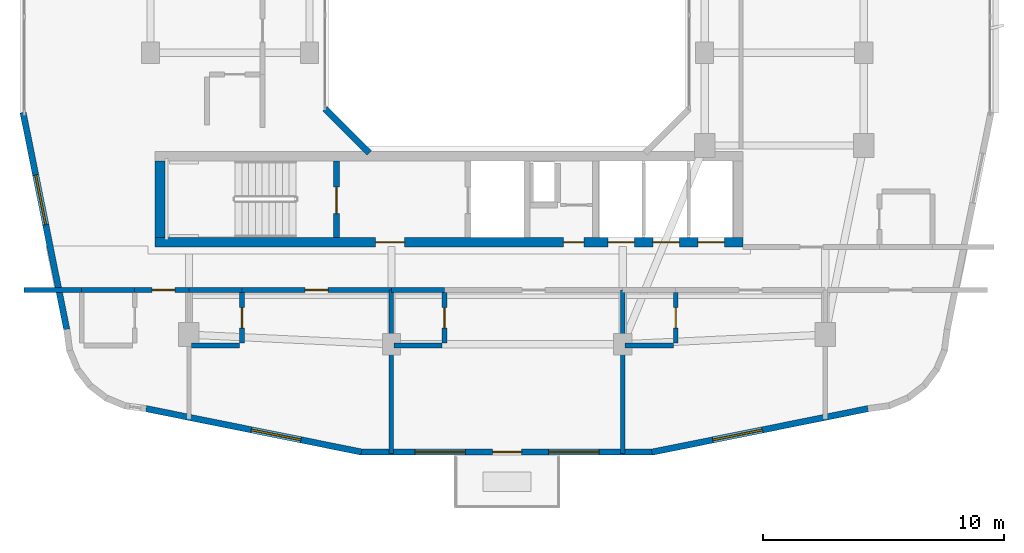
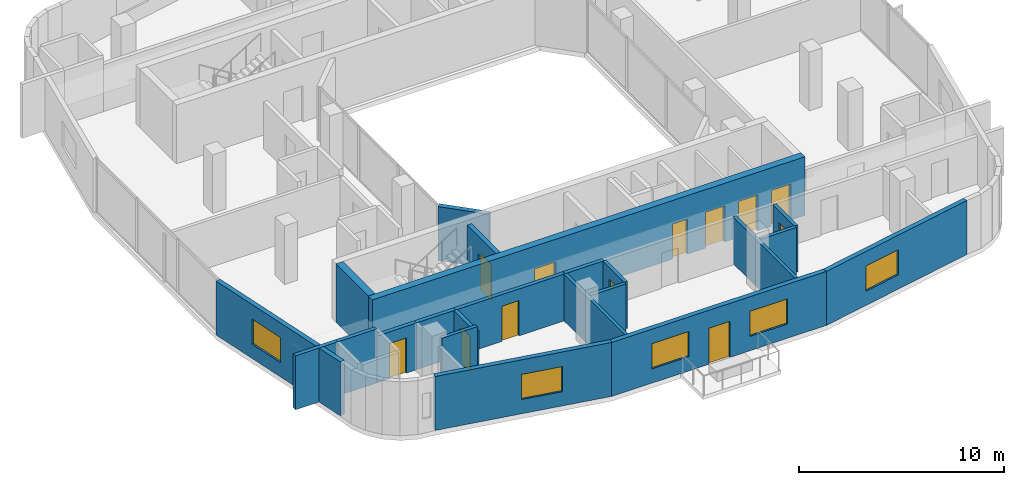
# One storey, part 5 of 13: 22 walls, 12 doors, 5 windows, 17 openings.
"""IFC4 building model written with IfcOpenShell, lengths in metres."""

from ifc_helpers import new_model, si_unit, derived_unit, direction, frame, frame_2d, origin, place, context, subcontext, project, spatial, rectangle, extrude, material, layer, layer_set, type_object, element, fill, save


model = new_model("IFC4")

# Units and contexts
model_context = context("Model", 3, precision=1e-05, world=origin(), true_north=direction((0.0, 1.0)))
body_context = subcontext(model_context, "Body", "Model", "MODEL_VIEW")
ifc_project = project(units=[si_unit("LENGTHUNIT", "METRE"), si_unit("AREAUNIT", "SQUARE_METRE"), si_unit("VOLUMEUNIT", "CUBIC_METRE"), si_unit("PLANEANGLEUNIT", "RADIAN"), si_unit("MASSUNIT", "GRAM", prefix="KILO"), derived_unit("THERMALTRANSMITTANCEUNIT", [(si_unit("POWERUNIT", "WATT"), 1), (si_unit("LENGTHUNIT", "METRE"), -2), (si_unit("THERMODYNAMICTEMPERATUREUNIT", "KELVIN"), -1)])], contexts=[model_context])

# Site, building, storey
site_placement = place(None, origin())
site = spatial("IfcSite", under=ifc_project, at=site_placement, CompositionType="ELEMENT")
building_placement = place(site_placement, origin())
building = spatial("IfcBuilding", under=site, at=building_placement, Name="Kivonza Crest Hotel", CompositionType="ELEMENT")
storey_placement = place(building_placement, frame((0.0, 0.0, 155.5)))
storey = spatial("IfcBuildingStorey", under=building, at=storey_placement, Name="L42", CompositionType="ELEMENT", Elevation=155.5)

# Walls
ifc_material_1 = material(Name="High-density acoustic masonry inter-tenancy wall", Category="masonry")
ifc_layer_1 = layer(ifc_material_1, 0.179931640625)
ifc_layer_set_1 = layer_set([ifc_layer_1], Name="High-density acoustic masonry inter-tenancy wall")
wall_type_1 = type_object("IfcWallType", Name="WL-ACOU-180", PredefinedType="SOLIDWALL", material=ifc_layer_set_1)
for number, where, z_axis, x_axis, name in (
    (1, (16.199951171875, 4.860107421875, 0.0), (0.0, 0.0, 1.0), (0.0, 1.0, 0.0), "L42 interior partition WA-L42-T1S-DIV2"),
    (2, (25.800048828125, 4.860107421875, 0.0), (0.0, 0.0, 1.0), (0.0, 1.0, 0.0), "L42 interior partition WA-L42-T1S-DIV3"),
):
    element("IfcWall", number, at=place(storey_placement, frame(where, z_axis=z_axis, x_axis=x_axis)), inside=storey, type_object=wall_type_1, Name=name, PredefinedType="SOLIDWALL", context=body_context, shape_type="SweptSolid", body=[
        extrude(rectangle(XDim=6.789794921875, YDim=0.179931640625, at=frame_2d((3.39501953125, 0.0))), origin(), (0.0, 0.0, 1.0), 2.794921875),
    ])
ifc_material_2 = material(Name="Autoclaved aerated concrete blockwork", Category="masonry")
ifc_layer_2 = layer(ifc_material_2, 0.219970703125)
ifc_layer_set_2 = layer_set([ifc_layer_2], Name="Autoclaved aerated concrete blockwork")
wall_type_2 = type_object("IfcWallType", Name="WL-ACOU-220", PredefinedType="SOLIDWALL", material=ifc_layer_set_2)
wall_1_placement = place(storey_placement, frame((0.9599609375, 11.64990234375, 0.0), z_axis=(0.0, 0.0, 1.0), x_axis=(1.0, 0.0, 0.0)))
element("IfcWall", 3, at=wall_1_placement, inside=storey, type_object=wall_type_2, Name="L42 interior partition WA-L42-S05-XCORR", PredefinedType="SOLIDWALL", context=body_context, shape_type="SweptSolid", body=[
    extrude(rectangle(XDim=2.39013671875, YDim=0.219970703125, at=frame_2d((1.195068359375, 0.0))), origin(), (0.0, 0.0, 1.0), 3.219970703125),
])
wall_2_placement = place(storey_placement, frame((3.35009765625, 11.64990234375, 0.0), z_axis=(0.0, 0.0, 1.0), x_axis=(1.0, 0.0, 0.0)))
element("IfcWall", 4, at=wall_2_placement, inside=storey, type_object=wall_type_2, Name="L42 interior partition WA-L42-S05-BCORR", PredefinedType="SOLIDWALL", context=body_context, shape_type="SweptSolid", body=[
    extrude(rectangle(XDim=2.199951171875, YDim=0.219970703125, at=frame_2d((1.10009765625, 0.0))), origin(), (0.0, 0.0, 1.0), 3.219970703125),
])

# Wall, opening, door
wall_3_placement = place(storey_placement, frame((5.550048828125, 11.64990234375, 0.0), z_axis=(0.0, 0.0, 1.0), x_axis=(1.0, 0.0, 0.0)))
wall_3 = element("IfcWall", 5, at=wall_3_placement, inside=storey, type_object=wall_type_2, Name="L42 interior partition WA-L42-S05-MCORR", PredefinedType="SOLIDWALL", context=body_context, shape_type="SweptSolid", body=[
    extrude(rectangle(XDim=2.25, YDim=0.219970703125, at=frame_2d((1.125, 0.0))), origin(), (0.0, 0.0, 1.0), 2.794921875),
])
opening_1_placement = place(wall_3_placement, frame((0.719970703125, 0.0, 0.0)))
opening_1 = element("IfcOpeningElement", 6, at=opening_1_placement, cuts=wall_3, Name="Opening DU-60", PredefinedType="OPENING", context=body_context, shape_type="SweptSolid", body=[
    extrude(rectangle(XDim=0.949951171875, YDim=2.10009765625, at=frame_2d((0.47509765625, 1.050048828125))), frame((0.0, 0.1201171875, 0.0), z_axis=(0.0, -1.0, 0.0), x_axis=(1.0, 0.0, 0.0)), (0.0, 0.0, 1.0), 0.239990234375),
])
ifc_material_3 = material(Name="Hardwood timber oak", Category="wood")
door_type_1 = type_object("IfcDoorType", Name="DR-UNIT-950", OperationType="NOTDEFINED", PredefinedType="DOOR", material=ifc_material_3)
door_1_placement = place(opening_1_placement, frame((0.949951171875, 0.0, 0.0), z_axis=(0.0, 0.0, 1.0), x_axis=(-1.0, 0.0, 0.0)))
door_1 = element("IfcDoor", 7, at=door_1_placement, inside=storey, type_object=door_type_1, Name="L42 S05 guest unit entrance fire door", OperationType="SINGLE_SWING_LEFT", OverallHeight=2.10009765625, OverallWidth=0.949951171875, PredefinedType="DOOR", context=body_context, shape_type="SweptSolid", body=[
    extrude(rectangle(XDim=0.949951171875, YDim=2.10009765625, at=frame_2d((0.47509765625, 1.050048828125))), frame((0.0, 0.02490234375, 0.0), z_axis=(0.0, -1.0, 0.0), x_axis=(1.0, 0.0, 0.0)), (0.0, 0.0, 1.0), 0.050048828125),
])
fill(opening_1, door_1)

# Wall
wall_4_placement = place(storey_placement, frame((7.800048828125, 11.64990234375, 0.0), z_axis=(0.0, 0.0, 1.0), x_axis=(1.0, 0.0, 0.0)))
element("IfcWall", 8, at=wall_4_placement, inside=storey, type_object=wall_type_2, Name="L42 interior partition WA-L42-S06-BCORR", PredefinedType="SOLIDWALL", context=body_context, shape_type="SweptSolid", body=[
    extrude(rectangle(XDim=2.199951171875, YDim=0.219970703125, at=frame_2d((1.10009765625, 0.0))), origin(), (0.0, 0.0, 1.0), 2.794921875),
])

# Wall, opening, door
wall_5_placement = place(storey_placement, frame((10.0, 11.64990234375, 0.0), z_axis=(0.0, 0.0, 1.0), x_axis=(1.0, 0.0, 0.0)))
wall_5 = element("IfcWall", 9, at=wall_5_placement, inside=storey, type_object=wall_type_2, Name="L42 interior partition WA-L42-S06-MCORR", PredefinedType="SOLIDWALL", context=body_context, shape_type="SweptSolid", body=[
    extrude(rectangle(XDim=6.199951171875, YDim=0.219970703125, at=frame_2d((3.10009765625, 0.0))), origin(), (0.0, 0.0, 1.0), 2.794921875),
])
opening_2_placement = place(wall_5_placement, frame((2.625, 0.0, 0.0)))
opening_2 = element("IfcOpeningElement", 10, at=opening_2_placement, cuts=wall_5, Name="Opening DU-60", PredefinedType="OPENING", context=body_context, shape_type="SweptSolid", body=[
    extrude(rectangle(XDim=0.949951171875, YDim=2.10009765625, at=frame_2d((0.47509765625, 1.050048828125))), frame((0.0, 0.1201171875, 0.0), z_axis=(0.0, -1.0, 0.0), x_axis=(1.0, 0.0, 0.0)), (0.0, 0.0, 1.0), 0.239990234375),
])
door_2_placement = place(opening_2_placement, frame((0.949951171875, 0.0, 0.0), z_axis=(0.0, 0.0, 1.0), x_axis=(-1.0, 0.0, 0.0)))
door_2 = element("IfcDoor", 11, at=door_2_placement, inside=storey, type_object=door_type_1, Name="L42 S06 guest unit entrance fire door", OperationType="SINGLE_SWING_RIGHT", OverallHeight=2.10009765625, OverallWidth=0.949951171875, PredefinedType="DOOR", context=body_context, shape_type="SweptSolid", body=[
    extrude(rectangle(XDim=0.949951171875, YDim=2.10009765625, at=frame_2d((0.47509765625, 1.050048828125))), frame((0.0, 0.02490234375, 0.0), z_axis=(0.0, -1.0, 0.0), x_axis=(1.0, 0.0, 0.0)), (0.0, 0.0, 1.0), 0.050048828125),
])
fill(opening_2, door_2)

# Wall
wall_6_placement = place(storey_placement, frame((16.199951171875, 11.64990234375, 0.0), z_axis=(0.0, 0.0, 1.0), x_axis=(1.0, 0.0, 0.0)))
element("IfcWall", 12, at=wall_6_placement, inside=storey, type_object=wall_type_2, Name="L42 interior partition WA-L42-S07-BCORR", PredefinedType="SOLIDWALL", context=body_context, shape_type="SweptSolid", body=[
    extrude(rectangle(XDim=2.199951171875, YDim=0.219970703125, at=frame_2d((1.10009765625, 0.0))), origin(), (0.0, 0.0, 1.0), 2.794921875),
])

# Wall, openings, doors
ifc_material_4 = material(Name="Concrete C50/60", Category="concrete")
ifc_layer_3 = layer(ifc_material_4, 0.39990234375)
ifc_layer_set_3 = layer_set([ifc_layer_3], Name="Concrete C50/60")
wall_type_3 = type_object("IfcWallType", Name="WL-CORE-400", PredefinedType="SHEAR", material=ifc_layer_set_3)
wall_7_placement = place(storey_placement, frame((6.39990234375, 13.639892578125, 0.0), z_axis=(0.0, 0.0, 1.0), x_axis=(1.0, 0.0, 0.0)))
wall_7 = element("IfcWall", 13, at=wall_7_placement, inside=storey, type_object=wall_type_3, Name="Core wall T1-S South L42", PredefinedType="SHEAR", context=body_context, shape_type="SweptSolid", body=[
    extrude(rectangle(XDim=24.400146484375, YDim=0.39990234375, at=frame_2d((12.2001953125, 0.0))), origin(), (0.0, 0.0, 1.0), 3.5),
])
opening_3_placement = place(wall_7_placement, frame((9.14990234375, 0.0, 0.0)))
opening_3 = element("IfcOpeningElement", 14, at=opening_3_placement, cuts=wall_7, Name="Opening DF-60", PredefinedType="OPENING", context=body_context, shape_type="SweptSolid", body=[
    extrude(rectangle(XDim=1.199951171875, YDim=2.14990234375, at=frame_2d((0.60009765625, 1.074951171875))), frame((0.0, 0.2099609375, 0.0), z_axis=(0.0, -1.0, 0.0), x_axis=(1.0, 0.0, 0.0)), (0.0, 0.0, 1.0), 0.419921875),
])
opening_4_placement = place(wall_7_placement, frame((16.93994140625, 0.0, 0.0)))
opening_4 = element("IfcOpeningElement", 15, at=opening_4_placement, cuts=wall_7, Name="Opening DF-60R", PredefinedType="OPENING", context=body_context, shape_type="SweptSolid", body=[
    extrude(rectangle(XDim=0.85009765625, YDim=2.10009765625, at=frame_2d((0.425048828125, 1.050048828125))), frame((0.0, 0.2099609375, 0.0), z_axis=(0.0, -1.0, 0.0), x_axis=(1.0, 0.0, 0.0)), (0.0, 0.0, 1.0), 0.419921875),
])
opening_5_placement = place(wall_7_placement, frame((18.782958984375, 0.0, 0.0)))
opening_5 = element("IfcOpeningElement", 16, at=opening_5_placement, cuts=wall_7, Name="Opening LD-120", PredefinedType="OPENING", context=body_context, shape_type="SweptSolid", body=[
    extrude(rectangle(XDim=1.10009765625, YDim=2.14990234375, at=frame_2d((0.550048828125, 1.074951171875))), frame((0.0, 0.2099609375, 0.0), z_axis=(0.0, -1.0, 0.0), x_axis=(1.0, 0.0, 0.0)), (0.0, 0.0, 1.0), 0.419921875),
])
opening_6_placement = place(wall_7_placement, frame((20.64990234375, 0.0, 0.0)))
opening_6 = element("IfcOpeningElement", 17, at=opening_6_placement, cuts=wall_7, Name="Opening LD-120", PredefinedType="OPENING", context=body_context, shape_type="SweptSolid", body=[
    extrude(rectangle(XDim=1.10009765625, YDim=2.14990234375, at=frame_2d((0.550048828125, 1.074951171875))), frame((0.0, 0.2099609375, 0.0), z_axis=(0.0, -1.0, 0.0), x_axis=(1.0, 0.0, 0.0)), (0.0, 0.0, 1.0), 0.419921875),
])
opening_7_placement = place(wall_7_placement, frame((22.51708984375, 0.0, 0.0)))
opening_7 = element("IfcOpeningElement", 18, at=opening_7_placement, cuts=wall_7, Name="Opening LD-120", PredefinedType="OPENING", context=body_context, shape_type="SweptSolid", body=[
    extrude(rectangle(XDim=1.10009765625, YDim=2.14990234375, at=frame_2d((0.550048828125, 1.074951171875))), frame((0.0, 0.2099609375, 0.0), z_axis=(0.0, -1.0, 0.0), x_axis=(1.0, 0.0, 0.0)), (0.0, 0.0, 1.0), 0.419921875),
])
door_type_2 = type_object("IfcDoorType", Name="DR-FD60-1200", OperationType="NOTDEFINED", PredefinedType="DOOR", material=ifc_material_3)
door_3_placement = place(opening_3_placement, frame((1.199951171875, 0.0, 0.0), z_axis=(0.0, 0.0, 1.0), x_axis=(-1.0, 0.0, 0.0)))
door_3 = element("IfcDoor", 19, at=door_3_placement, inside=storey, type_object=door_type_2, Name="L42 T1-S firefighting lobby fire door", OperationType="SINGLE_SWING_LEFT", OverallHeight=2.14990234375, OverallWidth=1.199951171875, PredefinedType="DOOR", context=body_context, shape_type="SweptSolid", body=[
    extrude(rectangle(XDim=1.199951171875, YDim=2.14990234375, at=frame_2d((0.60009765625, 1.074951171875))), frame((0.0, 0.02490234375, 0.0), z_axis=(0.0, -1.0, 0.0), x_axis=(1.0, 0.0, 0.0)), (0.0, 0.0, 1.0), 0.050048828125),
])
fill(opening_3, door_3)
door_type_3 = type_object("IfcDoorType", Name="DR-FD60-850", OperationType="NOTDEFINED", PredefinedType="DOOR", material=ifc_material_3)
door_4_placement = place(opening_4_placement, frame((0.85009765625, 0.0, 0.0), z_axis=(0.0, 0.0, 1.0), x_axis=(-1.0, 0.0, 0.0)))
door_4 = element("IfcDoor", 20, at=door_4_placement, inside=storey, type_object=door_type_3, Name="L42 T1-S core room door", OperationType="SINGLE_SWING_RIGHT", OverallHeight=2.10009765625, OverallWidth=0.85009765625, PredefinedType="DOOR", context=body_context, shape_type="SweptSolid", body=[
    extrude(rectangle(XDim=0.85009765625, YDim=2.10009765625, at=frame_2d((0.425048828125, 1.050048828125))), frame((0.0, 0.02490234375, 0.0), z_axis=(0.0, -1.0, 0.0), x_axis=(1.0, 0.0, 0.0)), (0.0, 0.0, 1.0), 0.050048828125),
])
fill(opening_4, door_4)
ifc_material_5 = material(Name="Stainless steel", Category="steel")
door_type_4 = type_object("IfcDoorType", Name="DR-LD120-1100", OperationType="NOTDEFINED", PredefinedType="DOOR", material=ifc_material_5)
door_5_placement = place(opening_5_placement, frame((1.10009765625, 0.0, 0.0), z_axis=(0.0, 0.0, 1.0), x_axis=(-1.0, 0.0, 0.0)))
door_5 = element("IfcDoor", 21, at=door_5_placement, inside=storey, type_object=door_type_4, Name="L42 PL-T1-H1 passenger lift sliding landing door", OperationType="DOUBLE_DOOR_SLIDING", OverallHeight=2.14990234375, OverallWidth=1.10009765625, PredefinedType="DOOR", context=body_context, shape_type="SweptSolid", body=[
    extrude(rectangle(XDim=1.10009765625, YDim=2.14990234375, at=frame_2d((0.550048828125, 1.074951171875))), frame((0.0, 0.02490234375, 0.0), z_axis=(0.0, -1.0, 0.0), x_axis=(1.0, 0.0, 0.0)), (0.0, 0.0, 1.0), 0.050048828125),
])
fill(opening_5, door_5)
door_6_placement = place(opening_6_placement, frame((1.10009765625, 0.0, 0.0), z_axis=(0.0, 0.0, 1.0), x_axis=(-1.0, 0.0, 0.0)))
door_6 = element("IfcDoor", 22, at=door_6_placement, inside=storey, type_object=door_type_4, Name="L42 PL-T1-H2 passenger lift sliding landing door", OperationType="DOUBLE_DOOR_SLIDING", OverallHeight=2.14990234375, OverallWidth=1.10009765625, PredefinedType="DOOR", context=body_context, shape_type="SweptSolid", body=[
    extrude(rectangle(XDim=1.10009765625, YDim=2.14990234375, at=frame_2d((0.550048828125, 1.074951171875))), frame((0.0, 0.02490234375, 0.0), z_axis=(0.0, -1.0, 0.0), x_axis=(1.0, 0.0, 0.0)), (0.0, 0.0, 1.0), 0.050048828125),
])
fill(opening_6, door_6)
door_7_placement = place(opening_7_placement, frame((1.10009765625, 0.0, 0.0), z_axis=(0.0, 0.0, 1.0), x_axis=(-1.0, 0.0, 0.0)))
door_7 = element("IfcDoor", 23, at=door_7_placement, inside=storey, type_object=door_type_4, Name="L42 PL-T1-H3 passenger lift sliding landing door", OperationType="DOUBLE_DOOR_SLIDING", OverallHeight=2.14990234375, OverallWidth=1.10009765625, PredefinedType="DOOR", context=body_context, shape_type="SweptSolid", body=[
    extrude(rectangle(XDim=1.10009765625, YDim=2.14990234375, at=frame_2d((0.550048828125, 1.074951171875))), frame((0.0, 0.02490234375, 0.0), z_axis=(0.0, -1.0, 0.0), x_axis=(1.0, 0.0, 0.0)), (0.0, 0.0, 1.0), 0.050048828125),
])
fill(opening_7, door_7)

# Wall
wall_8_placement = place(storey_placement, frame((6.60009765625, 13.840087890625, 0.0), z_axis=(0.0, 0.0, 1.0), x_axis=(0.0, 1.0, 0.0)))
element("IfcWall", 24, at=wall_8_placement, inside=storey, type_object=wall_type_3, Name="Core wall T1-S West L42", PredefinedType="SHEAR", context=body_context, shape_type="SweptSolid", body=[
    extrude(rectangle(XDim=3.159912109375, YDim=0.39990234375, at=frame_2d((1.580078125, 0.0))), origin(), (0.0, 0.0, 1.0), 3.5),
])

# Wall, opening, window
ifc_material_6 = material(Name="Precast concrete C40/50", Category="concrete")
ifc_layer_4 = layer(ifc_material_6, 0.260009765625)
ifc_layer_set_4 = layer_set([ifc_layer_4], Name="Precast concrete C40/50")
wall_type_4 = type_object("IfcWallType", Name="WL-EXT-260", PredefinedType="STANDARD", material=ifc_layer_set_4)
wall_9_placement = place(storey_placement, frame((6.01806640625, 6.72900390625, 0.0), z_axis=(0.0, 0.0, 1.0), x_axis=(0.980317172899, -0.197429077186, 0.0)))
wall_9 = element("IfcWall", 25, at=wall_9_placement, inside=storey, type_object=wall_type_4, Name="L42 T1 exterior insulated wall 7", PredefinedType="STANDARD", context=body_context, shape_type="SweptSolid", body=[
    extrude(rectangle(XDim=9.117431640625, YDim=0.260009765625, at=frame_2d((4.55859375, 0.0))), origin(), (0.0, 0.0, 1.0), 3.219970703125),
])
opening_8_placement = place(wall_9_placement, frame((4.455078125, 0.0, 0.85009765625)))
opening_8 = element("IfcOpeningElement", 26, at=opening_8_placement, cuts=wall_9, Name="Opening WN-04", PredefinedType="OPENING", context=body_context, shape_type="SweptSolid", body=[
    extrude(rectangle(XDim=2.10009765625, YDim=1.5, at=frame_2d((1.050048828125, 0.75))), frame((0.0, 0.14013671875, 0.0), z_axis=(0.0, -1.0, 0.0), x_axis=(1.0, 0.0, 0.0)), (0.0, 0.0, 1.0), 0.280029296875),
])
ifc_material_7 = material(Name="Thermally broken bronze aluminium and low-E double glazing", Category="aluminium")
window_type = type_object("IfcWindowType", Name="WN-210x150", PartitioningType="DOUBLE_PANEL_VERTICAL", PredefinedType="WINDOW", material=ifc_material_7)
window_1_placement = place(opening_8_placement, origin())
window_1 = element("IfcWindow", 27, at=window_1_placement, inside=storey, type_object=window_type, Name="L42 T1 facade window 7", OverallHeight=1.5, OverallWidth=2.10009765625, PartitioningType="SINGLE_PANEL", PredefinedType="WINDOW", context=body_context, shape_type="SweptSolid", body=[
    extrude(rectangle(XDim=2.10009765625, YDim=1.5, at=frame_2d((1.050048828125, 0.75))), frame((0.0, 0.030029296875, 0.0), z_axis=(0.0, -1.0, 0.0), x_axis=(1.0, 0.0, 0.0)), (0.0, 0.0, 1.0), 0.06005859375),
])
fill(opening_8, window_1)

# Wall, openings, door, windows
wall_10_placement = place(storey_placement, frame((14.9150390625, 4.929931640625, 0.0), z_axis=(0.0, 0.0, 1.0), x_axis=(1.0, 0.0, 0.0)))
wall_10 = element("IfcWall", 28, at=wall_10_placement, inside=storey, type_object=wall_type_4, Name="L42 T1 exterior insulated wall 8", PredefinedType="STANDARD", context=body_context, shape_type="SweptSolid", body=[
    extrude(rectangle(XDim=12.135009765625, YDim=0.260009765625, at=frame_2d((6.0673828125, 0.0))), origin(), (0.0, 0.0, 1.0), 3.219970703125),
])
opening_9_placement = place(wall_10_placement, frame((5.485107421875, 0.0, 0.0)))
opening_9 = element("IfcOpeningElement", 29, at=opening_9_placement, cuts=wall_10, Name="Opening DT-120", PredefinedType="OPENING", context=body_context, shape_type="SweptSolid", body=[
    extrude(rectangle(XDim=1.199951171875, YDim=2.14990234375, at=frame_2d((0.60009765625, 1.074951171875))), frame((0.0, 0.14013671875, 0.0), z_axis=(0.0, -1.0, 0.0), x_axis=(1.0, 0.0, 0.0)), (0.0, 0.0, 1.0), 0.280029296875),
])
opening_10_placement = place(wall_10_placement, frame((2.260009765625, 0.0, 0.85009765625)))
opening_10 = element("IfcOpeningElement", 30, at=opening_10_placement, cuts=wall_10, Name="Opening WN-04", PredefinedType="OPENING", context=body_context, shape_type="SweptSolid", body=[
    extrude(rectangle(XDim=2.10009765625, YDim=1.5, at=frame_2d((1.050048828125, 0.75))), frame((0.0, 0.14013671875, 0.0), z_axis=(0.0, -1.0, 0.0), x_axis=(1.0, 0.0, 0.0)), (0.0, 0.0, 1.0), 0.280029296875),
])
opening_11_placement = place(wall_10_placement, frame((7.81005859375, 0.0, 0.85009765625)))
opening_11 = element("IfcOpeningElement", 31, at=opening_11_placement, cuts=wall_10, Name="Opening WN-04", PredefinedType="OPENING", context=body_context, shape_type="SweptSolid", body=[
    extrude(rectangle(XDim=2.10009765625, YDim=1.5, at=frame_2d((1.050048828125, 0.75))), frame((0.0, 0.14013671875, 0.0), z_axis=(0.0, -1.0, 0.0), x_axis=(1.0, 0.0, 0.0)), (0.0, 0.0, 1.0), 0.280029296875),
])
ifc_material_8 = material(Name="Anodised bronze aluminium and laminated safety glass", Category="aluminium")
door_type_5 = type_object("IfcDoorType", Name="DR-TERR-1200", OperationType="NOTDEFINED", PredefinedType="DOOR", material=ifc_material_8)
door_8_placement = place(opening_9_placement, frame((1.199951171875, 0.0, 0.0), z_axis=(0.0, 0.0, 1.0), x_axis=(-1.0, 0.0, 0.0)))
door_8 = element("IfcDoor", 32, at=door_8_placement, inside=storey, type_object=door_type_5, Name="T1 L42 SW sky-garden bridge access door", OperationType="SINGLE_SWING_LEFT", OverallHeight=2.14990234375, OverallWidth=1.199951171875, PredefinedType="DOOR", context=body_context, shape_type="SweptSolid", body=[
    extrude(rectangle(XDim=1.199951171875, YDim=2.14990234375, at=frame_2d((0.60009765625, 1.074951171875))), frame((0.0, 0.02490234375, 0.0), z_axis=(0.0, -1.0, 0.0), x_axis=(1.0, 0.0, 0.0)), (0.0, 0.0, 1.0), 0.050048828125),
])
fill(opening_9, door_8)
window_2_placement = place(opening_10_placement, origin())
window_2 = element("IfcWindow", 33, at=window_2_placement, inside=storey, type_object=window_type, Name="L42 T1 facade window 8 bay 1", OverallHeight=1.5, OverallWidth=2.10009765625, PartitioningType="SINGLE_PANEL", PredefinedType="WINDOW", context=body_context, shape_type="SweptSolid", body=[
    extrude(rectangle(XDim=2.10009765625, YDim=1.5, at=frame_2d((1.050048828125, 0.75))), frame((0.0, 0.030029296875, 0.0), z_axis=(0.0, -1.0, 0.0), x_axis=(1.0, 0.0, 0.0)), (0.0, 0.0, 1.0), 0.06005859375),
])
fill(opening_10, window_2)
window_3_placement = place(opening_11_placement, origin())
window_3 = element("IfcWindow", 34, at=window_3_placement, inside=storey, type_object=window_type, Name="L42 T1 facade window 8 bay 2", OverallHeight=1.5, OverallWidth=2.10009765625, PartitioningType="SINGLE_PANEL", PredefinedType="WINDOW", context=body_context, shape_type="SweptSolid", body=[
    extrude(rectangle(XDim=2.10009765625, YDim=1.5, at=frame_2d((1.050048828125, 0.75))), frame((0.0, 0.030029296875, 0.0), z_axis=(0.0, -1.0, 0.0), x_axis=(1.0, 0.0, 0.0)), (0.0, 0.0, 1.0), 0.06005859375),
])
fill(opening_11, window_3)

# Wall, opening, window
wall_11_placement = place(storey_placement, frame((27.009033203125, 4.922119140625, 0.0), z_axis=(0.0, 0.0, 1.0), x_axis=(0.980321298532, 0.197408590603, 0.0)))
wall_11 = element("IfcWall", 35, at=wall_11_placement, inside=storey, type_object=wall_type_4, Name="L42 T1 exterior insulated wall 9", PredefinedType="STANDARD", context=body_context, shape_type="SweptSolid", body=[
    extrude(rectangle(XDim=9.153076171875, YDim=0.260009765625, at=frame_2d((4.57666015625, 0.0))), origin(), (0.0, 0.0, 1.0), 3.219970703125),
])
opening_12_placement = place(wall_11_placement, frame((2.5810546875, 0.0, 0.85009765625)))
opening_12 = element("IfcOpeningElement", 36, at=opening_12_placement, cuts=wall_11, Name="Opening WN-04", PredefinedType="OPENING", context=body_context, shape_type="SweptSolid", body=[
    extrude(rectangle(XDim=2.10009765625, YDim=1.5, at=frame_2d((1.050048828125, 0.75))), frame((0.0, 0.14013671875, 0.0), z_axis=(0.0, -1.0, 0.0), x_axis=(1.0, 0.0, 0.0)), (0.0, 0.0, 1.0), 0.280029296875),
])
window_4_placement = place(opening_12_placement, origin())
window_4 = element("IfcWindow", 37, at=window_4_placement, inside=storey, type_object=window_type, Name="L42 T1 facade window 9", OverallHeight=1.5, OverallWidth=2.10009765625, PartitioningType="SINGLE_PANEL", PredefinedType="WINDOW", context=body_context, shape_type="SweptSolid", body=[
    extrude(rectangle(XDim=2.10009765625, YDim=1.5, at=frame_2d((1.050048828125, 0.75))), frame((0.0, 0.030029296875, 0.0), z_axis=(0.0, -1.0, 0.0), x_axis=(1.0, 0.0, 0.0)), (0.0, 0.0, 1.0), 0.06005859375),
])
fill(opening_12, window_4)

wall_12_placement = place(storey_placement, frame((0.916015625, 19.02001953125, 0.0), z_axis=(0.0, 0.0, 1.0), x_axis=(0.197435082048, -0.980315963543, 0.0)))
wall_12 = element("IfcWall", 38, at=wall_12_placement, inside=storey, type_object=wall_type_4, Name="L42 T1 exterior insulated wall 36", PredefinedType="STANDARD", context=body_context, shape_type="SweptSolid", body=[
    extrude(rectangle(XDim=9.1826171875, YDim=0.260009765625, at=frame_2d((4.59130859375, 0.0))), origin(), (0.0, 0.0, 1.0), 3.219970703125),
])
opening_13_placement = place(wall_12_placement, frame((2.64697265625, 0.0, 0.85009765625)))
opening_13 = element("IfcOpeningElement", 39, at=opening_13_placement, cuts=wall_12, Name="Opening WN-04", PredefinedType="OPENING", context=body_context, shape_type="SweptSolid", body=[
    extrude(rectangle(XDim=2.10009765625, YDim=1.5, at=frame_2d((1.050048828125, 0.75))), frame((0.0, 0.14013671875, 0.0), z_axis=(0.0, -1.0, 0.0), x_axis=(1.0, 0.0, 0.0)), (0.0, 0.0, 1.0), 0.280029296875),
])
window_5_placement = place(opening_13_placement, origin())
window_5 = element("IfcWindow", 40, at=window_5_placement, inside=storey, type_object=window_type, Name="L42 T1 facade window 36", OverallHeight=1.5, OverallWidth=2.10009765625, PartitioningType="SINGLE_PANEL", PredefinedType="WINDOW", context=body_context, shape_type="SweptSolid", body=[
    extrude(rectangle(XDim=2.10009765625, YDim=1.5, at=frame_2d((1.050048828125, 0.75))), frame((0.0, 0.030029296875, 0.0), z_axis=(0.0, -1.0, 0.0), x_axis=(1.0, 0.0, 0.0)), (0.0, 0.0, 1.0), 0.06005859375),
])
fill(opening_13, window_5)

# Wall
wall_13_placement = place(storey_placement, frame((13.444091796875, 19.172119140625, 0.0), z_axis=(0.0, 0.0, 1.0), x_axis=(0.707059717605, -0.707153841636, 0.0)))
element("IfcWall", 41, at=wall_13_placement, inside=storey, type_object=wall_type_4, Name="L42 T1 light-well exterior wall 8", PredefinedType="STANDARD", context=body_context, shape_type="SweptSolid", body=[
    extrude(rectangle(XDim=2.59375, YDim=0.260009765625, at=frame_2d((1.296875, 0.0))), origin(), (0.0, 0.0, 1.0), 3.219970703125),
])

# Wall, opening, door
ifc_material_9 = material(Name="Moisture-resistant plumbing chase partition wall", Category="gypsum")
ifc_layer_5 = layer(ifc_material_9, 0.199951171875)
ifc_layer_set_5 = layer_set([ifc_layer_5], Name="Moisture-resistant plumbing chase partition wall")
wall_type_5 = type_object("IfcWallType", Name="WL-PLUMB-200", PredefinedType="PLUMBINGWALL", material=ifc_layer_set_5)
wall_14_placement = place(storey_placement, frame((10.0, 9.449951171875, 0.0), z_axis=(0.0, 0.0, 1.0), x_axis=(0.0, 1.0, 0.0)))
wall_14 = element("IfcWall", 42, at=wall_14_placement, inside=storey, type_object=wall_type_5, Name="L42 interior partition WW-L42-S06-BV", PredefinedType="PLUMBINGWALL", context=body_context, shape_type="SweptSolid", body=[
    extrude(rectangle(XDim=2.10009765625, YDim=0.199951171875, at=frame_2d((1.050048828125, 0.0))), origin(), (0.0, 0.0, 1.0), 2.794921875),
])
opening_14_placement = place(wall_14_placement, frame((0.625, 0.0, 0.0)))
opening_14 = element("IfcOpeningElement", 43, at=opening_14_placement, cuts=wall_14, Name="Opening DI-85", PredefinedType="OPENING", context=body_context, shape_type="SweptSolid", body=[
    extrude(rectangle(XDim=0.85009765625, YDim=2.10009765625, at=frame_2d((0.425048828125, 1.050048828125))), frame((0.0, 0.10986328125, 0.0), z_axis=(0.0, -1.0, 0.0), x_axis=(1.0, 0.0, 0.0)), (0.0, 0.0, 1.0), 0.219970703125),
])
door_type_6 = type_object("IfcDoorType", Name="DR-INT-850", OperationType="NOTDEFINED", PredefinedType="DOOR", material=ifc_material_3)
door_9_placement = place(opening_14_placement, frame((0.85009765625, 0.0, 0.0), z_axis=(0.0, 0.0, 1.0), x_axis=(-1.0, 0.0, 0.0)))
door_9 = element("IfcDoor", 44, at=door_9_placement, inside=storey, type_object=door_type_6, Name="L42 S06 en-suite bathroom door", OperationType="SINGLE_SWING_LEFT", OverallHeight=2.10009765625, OverallWidth=0.85009765625, PredefinedType="DOOR", context=body_context, shape_type="SweptSolid", body=[
    extrude(rectangle(XDim=0.85009765625, YDim=2.10009765625, at=frame_2d((0.425048828125, 1.050048828125))), frame((0.0, 0.02490234375, 0.0), z_axis=(0.0, -1.0, 0.0), x_axis=(1.0, 0.0, 0.0)), (0.0, 0.0, 1.0), 0.050048828125),
])
fill(opening_14, door_9)

# Wall
wall_15_placement = place(storey_placement, frame((7.89990234375, 9.35009765625, 0.0), z_axis=(0.0, 0.0, 1.0), x_axis=(1.0, 0.0, 0.0)))
element("IfcWall", 45, at=wall_15_placement, inside=storey, type_object=wall_type_5, Name="L42 interior partition WW-L42-S06-BH", PredefinedType="PLUMBINGWALL", context=body_context, shape_type="SweptSolid", body=[
    extrude(rectangle(XDim=2.0, YDim=0.199951171875, at=frame_2d((1.0, 0.0))), origin(), (0.0, 0.0, 1.0), 3.219970703125),
])

# Wall, opening, door
wall_16_placement = place(storey_placement, frame((18.39990234375, 9.449951171875, 0.0), z_axis=(0.0, 0.0, 1.0), x_axis=(0.0, 1.0, 0.0)))
wall_16 = element("IfcWall", 46, at=wall_16_placement, inside=storey, type_object=wall_type_5, Name="L42 interior partition WW-L42-S07-BV", PredefinedType="PLUMBINGWALL", context=body_context, shape_type="SweptSolid", body=[
    extrude(rectangle(XDim=2.10009765625, YDim=0.199951171875, at=frame_2d((1.050048828125, 0.0))), origin(), (0.0, 0.0, 1.0), 2.794921875),
])
opening_15_placement = place(wall_16_placement, frame((0.625, 0.0, 0.0)))
opening_15 = element("IfcOpeningElement", 47, at=opening_15_placement, cuts=wall_16, Name="Opening DI-85", PredefinedType="OPENING", context=body_context, shape_type="SweptSolid", body=[
    extrude(rectangle(XDim=0.85009765625, YDim=2.10009765625, at=frame_2d((0.425048828125, 1.050048828125))), frame((0.0, 0.10986328125, 0.0), z_axis=(0.0, -1.0, 0.0), x_axis=(1.0, 0.0, 0.0)), (0.0, 0.0, 1.0), 0.219970703125),
])
door_10_placement = place(opening_15_placement, frame((0.85009765625, 0.0, 0.0), z_axis=(0.0, 0.0, 1.0), x_axis=(-1.0, 0.0, 0.0)))
door_10 = element("IfcDoor", 48, at=door_10_placement, inside=storey, type_object=door_type_6, Name="L42 S07 en-suite bathroom door", OperationType="SINGLE_SWING_RIGHT", OverallHeight=2.10009765625, OverallWidth=0.85009765625, PredefinedType="DOOR", context=body_context, shape_type="SweptSolid", body=[
    extrude(rectangle(XDim=0.85009765625, YDim=2.10009765625, at=frame_2d((0.425048828125, 1.050048828125))), frame((0.0, 0.02490234375, 0.0), z_axis=(0.0, -1.0, 0.0), x_axis=(1.0, 0.0, 0.0)), (0.0, 0.0, 1.0), 0.050048828125),
])
fill(opening_15, door_10)

# Wall
wall_17_placement = place(storey_placement, frame((16.300048828125, 9.35009765625, 0.0), z_axis=(0.0, 0.0, 1.0), x_axis=(1.0, 0.0, 0.0)))
element("IfcWall", 49, at=wall_17_placement, inside=storey, type_object=wall_type_5, Name="L42 interior partition WW-L42-S07-BH", PredefinedType="PLUMBINGWALL", context=body_context, shape_type="SweptSolid", body=[
    extrude(rectangle(XDim=2.0, YDim=0.199951171875, at=frame_2d((1.0, 0.0))), origin(), (0.0, 0.0, 1.0), 2.8349609375),
])

# Wall, opening, door
wall_18_placement = place(storey_placement, frame((28.0, 9.449951171875, 0.0), z_axis=(0.0, 0.0, 1.0), x_axis=(0.0, 1.0, 0.0)))
wall_18 = element("IfcWall", 50, at=wall_18_placement, inside=storey, type_object=wall_type_5, Name="L42 interior partition WW-L42-S08-BV", PredefinedType="PLUMBINGWALL", context=body_context, shape_type="SweptSolid", body=[
    extrude(rectangle(XDim=2.10009765625, YDim=0.199951171875, at=frame_2d((1.050048828125, 0.0))), origin(), (0.0, 0.0, 1.0), 2.794921875),
])
opening_16_placement = place(wall_18_placement, frame((0.625, 0.0, 0.0)))
opening_16 = element("IfcOpeningElement", 51, at=opening_16_placement, cuts=wall_18, Name="Opening DI-85", PredefinedType="OPENING", context=body_context, shape_type="SweptSolid", body=[
    extrude(rectangle(XDim=0.85009765625, YDim=2.10009765625, at=frame_2d((0.425048828125, 1.050048828125))), frame((0.0, 0.10986328125, 0.0), z_axis=(0.0, -1.0, 0.0), x_axis=(1.0, 0.0, 0.0)), (0.0, 0.0, 1.0), 0.219970703125),
])
door_11_placement = place(opening_16_placement, frame((0.85009765625, 0.0, 0.0), z_axis=(0.0, 0.0, 1.0), x_axis=(-1.0, 0.0, 0.0)))
door_11 = element("IfcDoor", 52, at=door_11_placement, inside=storey, type_object=door_type_6, Name="L42 S08 en-suite bathroom door", OperationType="SINGLE_SWING_LEFT", OverallHeight=2.10009765625, OverallWidth=0.85009765625, PredefinedType="DOOR", context=body_context, shape_type="SweptSolid", body=[
    extrude(rectangle(XDim=0.85009765625, YDim=2.10009765625, at=frame_2d((0.425048828125, 1.050048828125))), frame((0.0, 0.02490234375, 0.0), z_axis=(0.0, -1.0, 0.0), x_axis=(1.0, 0.0, 0.0)), (0.0, 0.0, 1.0), 0.050048828125),
])
fill(opening_16, door_11)

# Wall
wall_19_placement = place(storey_placement, frame((25.89990234375, 9.35009765625, 0.0), z_axis=(0.0, 0.0, 1.0), x_axis=(1.0, 0.0, 0.0)))
element("IfcWall", 53, at=wall_19_placement, inside=storey, type_object=wall_type_5, Name="L42 interior partition WW-L42-S08-BH", PredefinedType="PLUMBINGWALL", context=body_context, shape_type="SweptSolid", body=[
    extrude(rectangle(XDim=2.0, YDim=0.199951171875, at=frame_2d((1.0, 0.0))), origin(), (0.0, 0.0, 1.0), 2.8349609375),
])

# Wall, opening, door
ifc_layer_6 = layer(ifc_material_4, 0.25)
ifc_layer_set_6 = layer_set([ifc_layer_6], Name="Concrete C50/60")
wall_type_6 = type_object("IfcWallType", Name="WL-SHAFT-250", PredefinedType="STANDARD", material=ifc_layer_set_6)
wall_20_placement = place(storey_placement, frame((13.925048828125, 13.840087890625, 0.0), z_axis=(0.0, 0.0, 1.0), x_axis=(0.0, 1.0, 0.0)))
wall_20 = element("IfcWall", 54, at=wall_20_placement, inside=storey, type_object=wall_type_6, Name="Core shaft wall T1-S STAIR L42", PredefinedType="STANDARD", context=body_context, shape_type="SweptSolid", body=[
    extrude(rectangle(XDim=3.159912109375, YDim=0.25, at=frame_2d((1.580078125, 0.0))), origin(), (0.0, 0.0, 1.0), 3.219970703125),
])
opening_17_placement = place(wall_20_placement, frame((0.97998046875, 0.0, 0.0)))
opening_17 = element("IfcOpeningElement", 55, at=opening_17_placement, cuts=wall_20, Name="Opening DF-120", PredefinedType="OPENING", context=body_context, shape_type="SweptSolid", body=[
    extrude(rectangle(XDim=1.10009765625, YDim=2.14990234375, at=frame_2d((0.550048828125, 1.074951171875))), frame((0.0, 0.135009765625, 0.0), z_axis=(0.0, -1.0, 0.0), x_axis=(1.0, 0.0, 0.0)), (0.0, 0.0, 1.0), 0.27001953125),
])
ifc_material_10 = material(Name="Galvanised steel", Category="steel")
door_type_7 = type_object("IfcDoorType", Name="DR-FD120-1100", OperationType="NOTDEFINED", PredefinedType="DOOR", material=ifc_material_10)
door_12_placement = place(opening_17_placement, frame((1.10009765625, 0.0, 0.0), z_axis=(0.0, 0.0, 1.0), x_axis=(-1.0, 0.0, 0.0)))
door_12 = element("IfcDoor", 56, at=door_12_placement, inside=storey, type_object=door_type_7, Name="L42 T1-S stair fire door", OperationType="SINGLE_SWING_RIGHT", OverallHeight=2.14990234375, OverallWidth=1.10009765625, PredefinedType="DOOR", context=body_context, shape_type="SweptSolid", body=[
    extrude(rectangle(XDim=1.10009765625, YDim=2.14990234375, at=frame_2d((0.550048828125, 1.074951171875))), frame((0.0, 0.02490234375, 0.0), z_axis=(0.0, -1.0, 0.0), x_axis=(1.0, 0.0, 0.0)), (0.0, 0.0, 1.0), 0.050048828125),
])
fill(opening_17, door_12)

save(model, "model.ifc")
